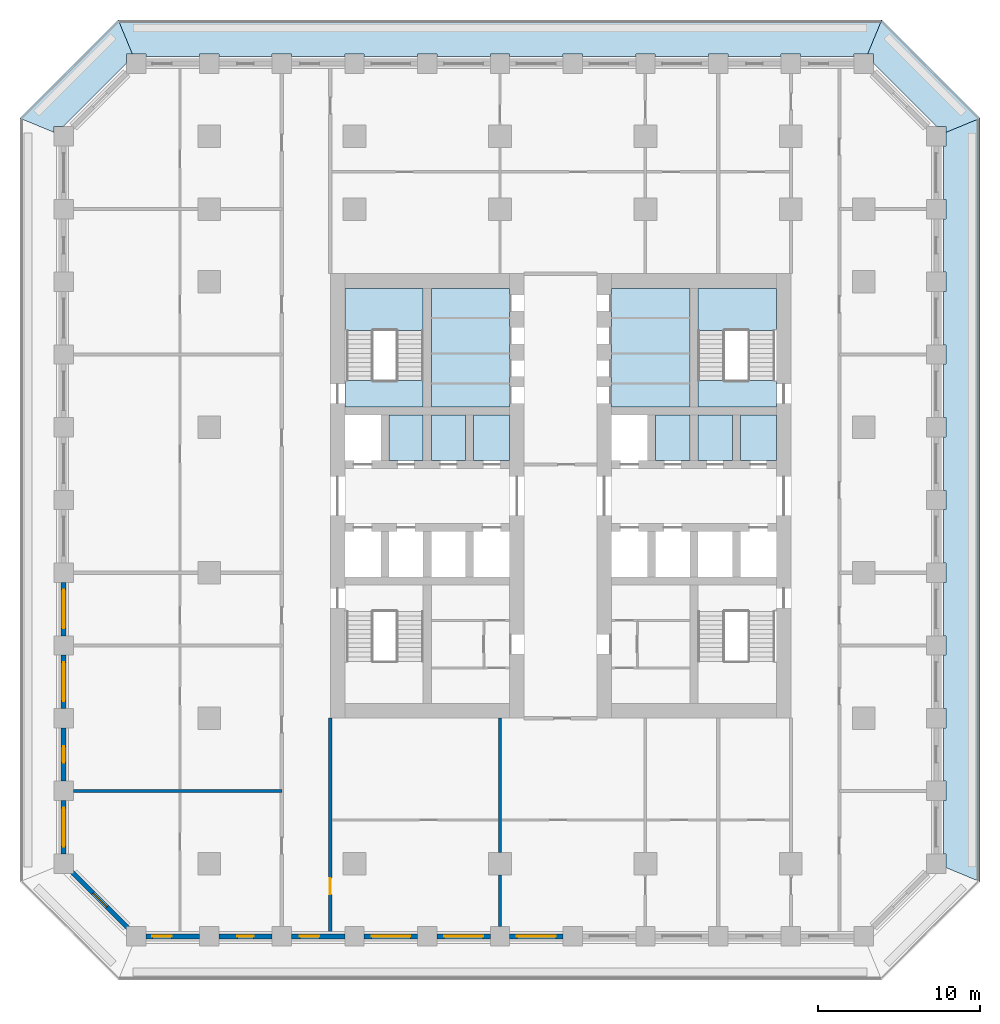
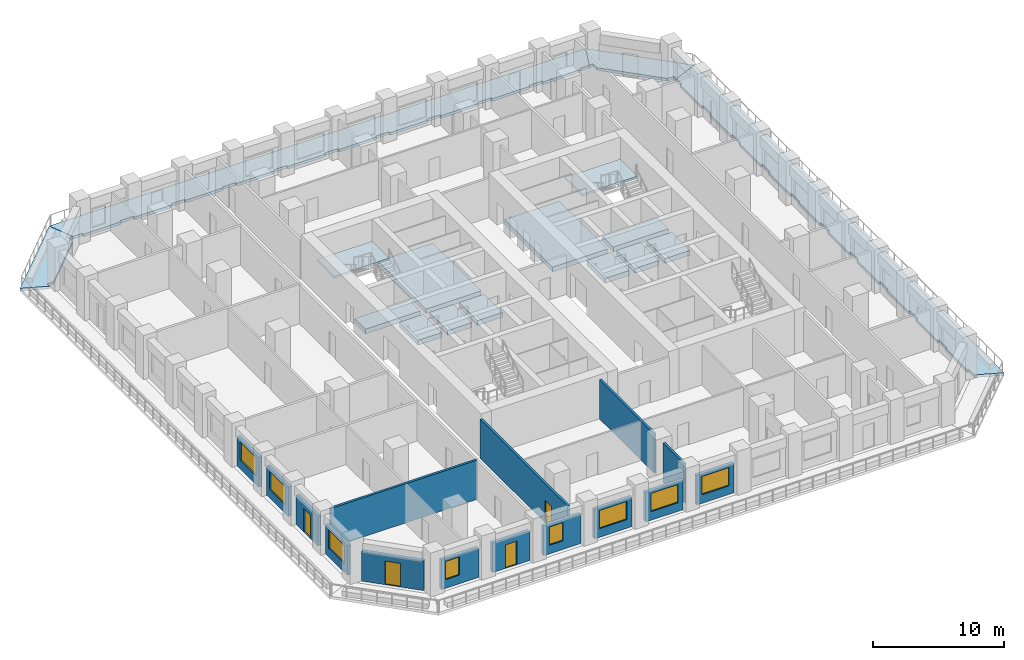
# One storey, part 2 of 16: 16 slabs, 15 walls, 8 windows, 4 doors, 12 openings, 2 elements without a shape of their own.
"""IFC4 building model written with IfcOpenShell, lengths in metres."""

import ifcopenshell
import ifcopenshell.guid

model = None  # the IFC model being written
_history = None  # IfcOwnerHistory: only IFC2X3 demands one
_inside = {}  # id of a spatial element -> (the spatial element, [elements in it])
_under = {}  # id of a project, library or spatial element -> (it, [spatial elements below it])
_declared = {}  # id of a project -> (the project, [libraries it declares])
_typed = {}  # id of a type object -> (the type object, [elements of that type])
_made_of = {}  # id of a material, layer set ... -> (it, [elements and type objects made of it])


def new_model(schema):
    """Start an empty IFC model of exactly this schema.

    Asked for "IFC4X3", IfcOpenShell would pick the latest addendum, in which some entities
    have other attributes; the version numbers below select the first issue.
    IFC2X3 requires an IfcOwnerHistory on every rooted entity: one is made here for all.
    """
    global model, _history
    if schema == "IFC4X3":
        model = ifcopenshell.file(schema_version=(4, 3, 0, 0))
    else:
        model = ifcopenshell.file(schema=schema)
    _inside.clear()
    _under.clear()
    _declared.clear()
    _typed.clear()
    _made_of.clear()
    _history = None
    if model.schema == "IFC2X3":
        org = make("IfcOrganization", Name="unknown")
        user = make(
            "IfcPersonAndOrganization",
            ThePerson=make("IfcPerson", FamilyName="unknown"),
            TheOrganization=org,
        )
        app = make(
            "IfcApplication",
            ApplicationDeveloper=org,
            Version="unknown",
            ApplicationFullName="unknown",
            ApplicationIdentifier="unknown",
        )
        _history = make(
            "IfcOwnerHistory",
            OwningUser=user,
            OwningApplication=app,
            ChangeAction="ADDED",
            CreationDate=0,
        )
    return model


def make(cls, **values):
    """One entity of the class cls with the attributes given. An attribute that is None is left unset."""
    return model.create_entity(
        cls, **{name: value for name, value in values.items() if value is not None}
    )


def rooted(cls, **values):
    """An entity with a GlobalId (a new one), such as an element, a storey or a relation."""
    return make(cls, GlobalId=ifcopenshell.guid.new(), OwnerHistory=_history, **values)


def si_unit(unit_type, name, prefix=None):
    """IfcSIUnit, for example si_unit("LENGTHUNIT", "METRE", prefix="MILLI")."""
    return make("IfcSIUnit", UnitType=unit_type, Prefix=prefix, Name=name)


def assignment(units):
    """IfcUnitAssignment: the units of a project."""
    return None if units is None else make("IfcUnitAssignment", Units=units)


def point(xyz):
    """IfcCartesianPoint."""
    return None if xyz is None else make("IfcCartesianPoint", Coordinates=xyz)


def direction(xyz):
    """IfcDirection."""
    return None if xyz is None else make("IfcDirection", DirectionRatios=xyz)


def frame(location, z_axis=None, x_axis=None):
    """IfcAxis2Placement3D, a coordinate frame: its origin and axes. An axis left out is left unset."""
    return make(
        "IfcAxis2Placement3D",
        Location=point(location),
        Axis=direction(z_axis),
        RefDirection=direction(x_axis),
    )


def frame_2d(location, x_axis=None):
    """IfcAxis2Placement2D, a coordinate frame in the plane: its origin and x axis."""
    return make(
        "IfcAxis2Placement2D", Location=point(location), RefDirection=direction(x_axis)
    )


def origin():
    """The frame at (0, 0, 0) with its axes left unset."""
    return frame((0.0, 0.0, 0.0))


def place(relative_to, where):
    """IfcLocalPlacement: puts the frame where relative to a parent placement (None: the world)."""
    return make(
        "IfcLocalPlacement", PlacementRelTo=relative_to, RelativePlacement=where
    )


def context(
    kind, dimensions, precision=None, world=None, true_north=None, identifier=None
):
    """IfcGeometricRepresentationContext, for example the 3D "Model" context."""
    return make(
        "IfcGeometricRepresentationContext",
        ContextIdentifier=identifier,
        ContextType=kind,
        CoordinateSpaceDimension=dimensions,
        Precision=precision,
        WorldCoordinateSystem=world,
        TrueNorth=true_north,
    )


def subcontext(parent, identifier, kind, view, scale=None):
    """IfcGeometricRepresentationSubContext, for example "Body" below "Model"."""
    return make(
        "IfcGeometricRepresentationSubContext",
        ContextIdentifier=identifier,
        ContextType=kind,
        ParentContext=parent,
        TargetScale=scale,
        TargetView=view,
    )


def project(units=None, contexts=None):
    """IfcProject with its units and contexts."""
    return rooted(
        "IfcProject",
        Name="project",
        RepresentationContexts=contexts,
        UnitsInContext=assignment(units),
    )


def spatial(cls, under=None, at=None, **own):
    """A site, building, storey or space (cls), placed at a placement, below another one or the project."""
    s = rooted(cls, ObjectPlacement=at, **own)
    if under is not None:
        _under.setdefault(under.id(), (under, []))[1].append(s)
    return s


def polyline(points):
    """IfcPolyline through the points."""
    return make("IfcPolyline", Points=[point(p) for p in points])


def profile(cls, at=None, kind="AREA", **sizes):
    """A parametric profile (cls). Its sizes go by their IFC names, for example OverallWidth=200.0."""
    return make(cls, ProfileType=kind, Position=at, **sizes)


def rectangle(**sizes):
    """IfcRectangleProfileDef."""
    return profile("IfcRectangleProfileDef", **sizes)


def outline(outer, holes=None, kind="AREA"):
    """IfcArbitraryClosedProfileDef: a profile drawn as a closed curve; with holes, ...WithVoids."""
    if holes is None:
        return make("IfcArbitraryClosedProfileDef", ProfileType=kind, OuterCurve=outer)
    return make(
        "IfcArbitraryProfileDefWithVoids",
        ProfileType=kind,
        OuterCurve=outer,
        InnerCurves=holes,
    )


def extrude(swept, where, along, depth):
    """IfcExtrudedAreaSolid: the profile swept, set in the frame where, extruded along a direction by depth."""
    return make(
        "IfcExtrudedAreaSolid",
        SweptArea=swept,
        Position=where,
        ExtrudedDirection=direction(along),
        Depth=depth,
    )


def shape(context_of_items, identifier, shape_type, items):
    """IfcShapeRepresentation: the items that make up one representation, for example the "Body"."""
    return make(
        "IfcShapeRepresentation",
        ContextOfItems=context_of_items,
        RepresentationIdentifier=identifier,
        RepresentationType=shape_type,
        Items=items,
    )


def material(Name=None, Category=None):
    """IfcMaterial."""
    return make("IfcMaterial", Name=Name, Category=Category)


def layer(
    of_material, thickness, ventilated=None, Name=None, Category=None, Priority=None
):
    """IfcMaterialLayer: one layer of a wall or slab, of a material (None: an air gap)."""
    return make(
        "IfcMaterialLayer",
        Material=of_material,
        LayerThickness=thickness,
        IsVentilated=ventilated,
        Name=Name,
        Category=Category,
        Priority=Priority,
    )


def layer_set(layers, Name=None):
    """IfcMaterialLayerSet."""
    return make("IfcMaterialLayerSet", MaterialLayers=layers, LayerSetName=Name)


def made_of(thing, what):
    """Note that an element or type object is made of a material, layer set ...; save() writes the relation."""
    if what is not None:
        _made_of.setdefault(what.id(), (what, []))[1].append(thing)
    return thing


def type_object(cls, material=None, **own):
    """A type object (cls), such as IfcWallType, which elements share."""
    return made_of(rooted(cls, **own), material)


def element(
    cls,
    number,
    at=None,
    inside=None,
    cuts=None,
    type_object=None,
    material=None,
    context=None,
    identifier="Body",
    shape_type=None,
    held_by="IfcProductDefinitionShape",
    body=None,
    shapes=None,
    **own,
):
    """One element of the class cls, such as IfcWall. Its Tag is "e" and its number.

    at: its placement. inside: the storey or other place that contains it. cuts: it is an
    opening in that element (IfcRelVoidsElement). A single representation is given by context,
    identifier, shape_type and body (its items); several are given by shapes. held_by: the class
    of the entity that holds the representations. save() writes the other relations.
    """
    e = rooted(cls, Tag="e%d" % number, ObjectPlacement=at, **own)
    if body is not None:
        shapes = [shape(context, identifier, shape_type, body)]
    if shapes is not None:
        e.Representation = make(held_by, Representations=shapes)
    if inside is not None:
        _inside.setdefault(inside.id(), (inside, []))[1].append(e)
    if cuts is not None:
        rooted(
            "IfcRelVoidsElement", RelatingBuildingElement=cuts, RelatedOpeningElement=e
        )
    if type_object is not None:
        _typed.setdefault(type_object.id(), (type_object, []))[1].append(e)
    return made_of(e, material)


def fill(opening, filler):
    """IfcRelFillsElement: the door or window that sits in an opening."""
    return rooted(
        "IfcRelFillsElement",
        RelatingOpeningElement=opening,
        RelatedBuildingElement=filler,
    )


def aggregate(whole, parts):
    """IfcRelAggregates: a whole, such as a stair, and the parts it consists of."""
    return rooted("IfcRelAggregates", RelatingObject=whole, RelatedObjects=parts)


def save(model, path):
    """Write the relations noted so far, then the file.

    IfcRelAggregates (storeys below a building ...), IfcRelContainedInSpatialStructure (elements
    in a storey), IfcRelDefinesByType, IfcRelAssociatesMaterial and IfcRelDeclares: one each for
    every whole, place, type object, material and project.
    """
    for whole, parts in _under.values():
        aggregate(whole, parts)
    for where, things in _inside.values():
        rooted(
            "IfcRelContainedInSpatialStructure",
            RelatedElements=things,
            RelatingStructure=where,
        )
    for kind, things in _typed.values():
        rooted("IfcRelDefinesByType", RelatedObjects=things, RelatingType=kind)
    for what, things in _made_of.values():
        rooted("IfcRelAssociatesMaterial", RelatedObjects=things, RelatingMaterial=what)
    for by, libraries in _declared.values():
        rooted("IfcRelDeclares", RelatingContext=by, RelatedDefinitions=libraries)
    model.write(path)


model = new_model("IFC4")

# Units and contexts
model_context = context("Model", 3, precision=1e-05, world=origin(), true_north=direction((0.0, 1.0)))
body_context = subcontext(model_context, "Body", "Model", "MODEL_VIEW")
ifc_project = project(units=[si_unit("LENGTHUNIT", "METRE"), si_unit("AREAUNIT", "SQUARE_METRE"), si_unit("VOLUMEUNIT", "CUBIC_METRE"), si_unit("PLANEANGLEUNIT", "RADIAN"), si_unit("MASSUNIT", "GRAM", prefix="KILO")], contexts=[model_context])

# Site, building, storey
site_placement = place(None, origin())
site = spatial("IfcSite", under=ifc_project, at=site_placement, CompositionType="ELEMENT")
building_placement = place(site_placement, origin())
building = spatial("IfcBuilding", under=site, at=building_placement, Name="Corbel Stack Research Tower", CompositionType="ELEMENT")
storey_placement = place(building_placement, frame((0.0, 0.0, 120.800048828125)))
storey = spatial("IfcBuildingStorey", under=building, at=storey_placement, Name="L27", CompositionType="ELEMENT", Elevation=120.800048828125)

# Slabs
ifc_material_1 = material(Name="Concrete C45/55", Category="concrete")
ifc_layer_1 = layer(ifc_material_1, 0.25)
ifc_layer_set_1 = layer_set([ifc_layer_1], Name="Concrete C45/55")
slab_type_1 = type_object("IfcSlabType", Name="PT balcony slab 250 C45/55", PredefinedType="FLOOR", material=ifc_layer_set_1)
slab_1_placement = place(storey_placement, frame((0.0, 0.0, -0.25)))
element("IfcSlab", 1, at=slab_1_placement, inside=storey, type_object=slab_type_1, Name="Loggia slab L27 E", PredefinedType="FLOOR", context=body_context, shape_type="SweptSolid", body=[
    extrude(outline(polyline([(27.60009765625, 27.24853515625), (27.60009765625, 26.39990234375), (27.449951171875, 26.39990234375), (27.449951171875, 23.10009765625), (27.60009765625, 23.10009765625), (27.60009765625, 21.89990234375), (27.449951171875, 21.89990234375), (27.449951171875, 18.60009765625), (27.60009765625, 18.60009765625), (27.60009765625, 17.39990234375), (27.449951171875, 17.39990234375), (27.449951171875, 14.10009765625), (27.60009765625, 14.10009765625), (27.60009765625, 12.89990234375), (27.449951171875, 12.89990234375), (27.449951171875, 9.60009765625), (27.60009765625, 9.60009765625), (27.60009765625, 8.39990234375), (27.449951171875, 8.39990234375), (27.449951171875, 5.10009765625), (27.60009765625, 5.10009765625), (27.60009765625, 3.89990234375), (27.449951171875, 3.89990234375), (27.449951171875, 0.60009765625), (27.60009765625, 0.60009765625), (27.60009765625, -0.60009765625), (27.449951171875, -0.60009765625), (27.449951171875, -3.89990234375), (27.60009765625, -3.89990234375), (27.60009765625, -5.10009765625), (27.449951171875, -5.10009765625), (27.449951171875, -8.39990234375), (27.60009765625, -8.39990234375), (27.60009765625, -9.60009765625), (27.449951171875, -9.60009765625), (27.449951171875, -12.89990234375), (27.60009765625, -12.89990234375), (27.60009765625, -14.10009765625), (27.449951171875, -14.10009765625), (27.449951171875, -17.39990234375), (27.60009765625, -17.39990234375), (27.60009765625, -18.24853515625), (29.699951171875, -19.118408203125), (29.699951171875, 28.118408203125), (27.60009765625, 27.24853515625)])), origin(), (0.0, 0.0, 1.0), 0.25),
])
slab_2_placement = place(storey_placement, frame((0.0, 0.0, -0.25)))
element("IfcSlab", 2, at=slab_2_placement, inside=storey, type_object=slab_type_1, Name="Loggia slab L27 NE", PredefinedType="FLOOR", context=body_context, shape_type="SweptSolid", body=[
    extrude(outline(polyline([(22.74853515625, 32.10009765625), (23.10009765625, 32.10009765625), (23.10009765625, 31.536376953125), (27.036376953125, 27.60009765625), (27.60009765625, 27.60009765625), (27.60009765625, 27.24853515625), (29.699951171875, 28.118408203125), (23.618408203125, 34.199951171875), (22.74853515625, 32.10009765625)])), origin(), (0.0, 0.0, 1.0), 0.25),
])
slab_3_placement = place(storey_placement, frame((0.0, 0.0, -0.25)))
element("IfcSlab", 3, at=slab_3_placement, inside=storey, type_object=slab_type_1, Name="Loggia slab L27 N", PredefinedType="FLOOR", context=body_context, shape_type="SweptSolid", body=[
    extrude(outline(polyline([(-22.74853515625, 32.10009765625), (-21.89990234375, 32.10009765625), (-21.89990234375, 31.949951171875), (-18.60009765625, 31.949951171875), (-18.60009765625, 32.10009765625), (-17.39990234375, 32.10009765625), (-17.39990234375, 31.949951171875), (-14.10009765625, 31.949951171875), (-14.10009765625, 32.10009765625), (-12.89990234375, 32.10009765625), (-12.89990234375, 31.949951171875), (-9.60009765625, 31.949951171875), (-9.60009765625, 32.10009765625), (-8.39990234375, 32.10009765625), (-8.39990234375, 31.949951171875), (-5.10009765625, 31.949951171875), (-5.10009765625, 32.10009765625), (-3.89990234375, 32.10009765625), (-3.89990234375, 31.949951171875), (-0.60009765625, 31.949951171875), (-0.60009765625, 32.10009765625), (0.60009765625, 32.10009765625), (0.60009765625, 31.949951171875), (3.89990234375, 31.949951171875), (3.89990234375, 32.10009765625), (5.10009765625, 32.10009765625), (5.10009765625, 31.949951171875), (8.39990234375, 31.949951171875), (8.39990234375, 32.10009765625), (9.60009765625, 32.10009765625), (9.60009765625, 31.949951171875), (12.89990234375, 31.949951171875), (12.89990234375, 32.10009765625), (14.10009765625, 32.10009765625), (14.10009765625, 31.949951171875), (17.39990234375, 31.949951171875), (17.39990234375, 32.10009765625), (18.60009765625, 32.10009765625), (18.60009765625, 31.949951171875), (21.89990234375, 31.949951171875), (21.89990234375, 32.10009765625), (22.74853515625, 32.10009765625), (23.618408203125, 34.199951171875), (-23.618408203125, 34.199951171875), (-22.74853515625, 32.10009765625)])), origin(), (0.0, 0.0, 1.0), 0.25),
])
slab_4_placement = place(storey_placement, frame((0.0, 0.0, -0.25)))
element("IfcSlab", 4, at=slab_4_placement, inside=storey, type_object=slab_type_1, Name="Loggia slab L27 NW", PredefinedType="FLOOR", context=body_context, shape_type="SweptSolid", body=[
    extrude(outline(polyline([(-27.60009765625, 27.24853515625), (-27.60009765625, 27.60009765625), (-27.036376953125, 27.60009765625), (-23.10009765625, 31.536376953125), (-23.10009765625, 32.10009765625), (-22.74853515625, 32.10009765625), (-23.618408203125, 34.199951171875), (-29.699951171875, 28.118408203125), (-27.60009765625, 27.24853515625)])), origin(), (0.0, 0.0, 1.0), 0.25),
])
ifc_material_2 = material(Name="Concrete C45/55", Category="concrete")
ifc_layer_2 = layer(ifc_material_2, 0.449951171875)
ifc_layer_set_2 = layer_set([ifc_layer_2], Name="Concrete C45/55")
slab_type_2 = type_object("IfcSlabType", Name="PT-450", PredefinedType="FLOOR", material=ifc_layer_set_2)
slab_5_placement = place(storey_placement, frame((0.0, 0.0, -0.449951171875)))
element("IfcSlab", 5, at=slab_5_placement, inside=storey, type_object=slab_type_2, Name="West core floor L27", PredefinedType="FLOOR", context=body_context, shape_type="SweptSolid", body=[
    extrude(outline(polyline([(-6.875, 6.949951171875), (-4.75, 6.949951171875), (-4.75, 9.75), (-6.875, 9.75), (-6.875, 6.949951171875)])), origin(), (0.0, 0.0, 1.0), 0.449951171875),
])
slab_6_placement = place(storey_placement, frame((0.0, 0.0, -0.449951171875)))
element("IfcSlab", 6, at=slab_6_placement, inside=storey, type_object=slab_type_2, Name="West core floor L27", PredefinedType="FLOOR", context=body_context, shape_type="SweptSolid", body=[
    extrude(outline(polyline([(-2.125, 6.949951171875), (-2.125, 9.75), (-4.25, 9.75), (-4.25, 6.949951171875), (-2.125, 6.949951171875)])), origin(), (0.0, 0.0, 1.0), 0.449951171875),
])
slab_7_placement = place(storey_placement, frame((0.0, 0.0, -0.449951171875)))
element("IfcSlab", 7, at=slab_7_placement, inside=storey, type_object=slab_type_2, Name="West core floor L27", PredefinedType="FLOOR", context=body_context, shape_type="SweptSolid", body=[
    extrude(outline(polyline([(0.60009765625, 17.60009765625), (-4.25, 17.60009765625), (-4.25, 10.25), (0.60009765625, 10.25), (0.60009765625, 17.60009765625)])), origin(), (0.0, 0.0, 1.0), 0.449951171875),
])
slab_8_placement = place(storey_placement, frame((0.0, 0.0, -0.449951171875)))
element("IfcSlab", 8, at=slab_8_placement, inside=storey, type_object=slab_type_2, Name="West core floor L27", PredefinedType="FLOOR", context=body_context, shape_type="SweptSolid", body=[
    extrude(outline(polyline([(0.60009765625, 9.75), (-1.625, 9.75), (-1.625, 6.949951171875), (0.60009765625, 6.949951171875), (0.60009765625, 9.75)])), origin(), (0.0, 0.0, 1.0), 0.449951171875),
])
slab_9_placement = place(storey_placement, frame((0.0, 0.0, -0.449951171875)))
element("IfcSlab", 9, at=slab_9_placement, inside=storey, type_object=slab_type_2, Name="East core floor L27", PredefinedType="FLOOR", context=body_context, shape_type="SweptSolid", body=[
    extrude(outline(polyline([(6.89990234375, 17.60009765625), (6.89990234375, 10.25), (11.75, 10.25), (11.75, 17.60009765625), (6.89990234375, 17.60009765625)])), origin(), (0.0, 0.0, 1.0), 0.449951171875),
])
slab_10_placement = place(storey_placement, frame((0.0, 0.0, -0.449951171875)))
element("IfcSlab", 10, at=slab_10_placement, inside=storey, type_object=slab_type_2, Name="East core floor L27", PredefinedType="FLOOR", context=body_context, shape_type="SweptSolid", body=[
    extrude(outline(polyline([(9.625, 6.949951171875), (11.75, 6.949951171875), (11.75, 9.75), (9.625, 9.75), (9.625, 6.949951171875)])), origin(), (0.0, 0.0, 1.0), 0.449951171875),
])
slab_11_placement = place(storey_placement, frame((0.0, 0.0, -0.449951171875)))
element("IfcSlab", 11, at=slab_11_placement, inside=storey, type_object=slab_type_2, Name="East core floor L27", PredefinedType="FLOOR", context=body_context, shape_type="SweptSolid", body=[
    extrude(outline(polyline([(14.375, 6.949951171875), (14.375, 9.75), (12.25, 9.75), (12.25, 6.949951171875), (14.375, 6.949951171875)])), origin(), (0.0, 0.0, 1.0), 0.449951171875),
])
slab_12_placement = place(storey_placement, frame((0.0, 0.0, -0.449951171875)))
element("IfcSlab", 12, at=slab_12_placement, inside=storey, type_object=slab_type_2, Name="East core floor L27", PredefinedType="FLOOR", context=body_context, shape_type="SweptSolid", body=[
    extrude(outline(polyline([(17.10009765625, 6.949951171875), (17.10009765625, 9.75), (14.875, 9.75), (14.875, 6.949951171875), (17.10009765625, 6.949951171875)])), origin(), (0.0, 0.0, 1.0), 0.449951171875),
])
slab_13_placement = place(storey_placement, frame((0.0, 0.0, -0.449951171875)))
element("IfcSlab", 13, at=slab_13_placement, inside=storey, type_object=slab_type_2, Name="Stair floor landing ST-W2", PredefinedType="FLOOR", context=body_context, shape_type="SweptSolid", body=[
    extrude(outline(polyline([(-9.60009765625, 10.25), (-4.75, 10.25), (-4.75, 11.89990234375), (-9.60009765625, 11.89990234375), (-9.60009765625, 10.25)])), origin(), (0.0, 0.0, 1.0), 0.449951171875),
])
slab_14_placement = place(storey_placement, frame((0.0, 0.0, -0.449951171875)))
element("IfcSlab", 14, at=slab_14_placement, inside=storey, type_object=slab_type_2, Name="Stair floor landing ST-E2", PredefinedType="FLOOR", context=body_context, shape_type="SweptSolid", body=[
    extrude(outline(polyline([(12.25, 10.25), (17.10009765625, 10.25), (17.10009765625, 11.89990234375), (12.25, 11.89990234375), (12.25, 10.25)])), origin(), (0.0, 0.0, 1.0), 0.449951171875),
])

# Stair, slab
ifc_material_3 = material(Name="Concrete C40/50", Category="concrete")
stair_type = type_object("IfcStairType", Name="Exit stair 24 risers", PredefinedType="HALF_TURN_STAIR", material=ifc_material_3)
stair_1_placement = place(storey_placement, origin())
stair_1 = element("IfcStair", 15, at=stair_1_placement, inside=storey, type_object=stair_type, Name="L27 Exit stair ST-W2", PredefinedType="HALF_TURN_STAIR")
ifc_material_4 = material(Name="Concrete C40/50", Category="concrete")
ifc_layer_3 = layer(ifc_material_4, 0.199951171875)
ifc_layer_set_3 = layer_set([ifc_layer_3], Name="Concrete C40/50")
slab_type_3 = type_object("IfcSlabType", Name="Stair landing 200 C40/50", PredefinedType="LANDING", material=ifc_layer_set_3)
slab_15_placement = place(storey_placement, frame((0.0, 0.0, 1.849853515625)))
slab_15 = element("IfcSlab", 16, at=slab_15_placement, type_object=slab_type_3, Name="ST-W2 landing 1", PredefinedType="LANDING", context=body_context, shape_type="SweptSolid", body=[
    extrude(outline(polyline([(-9.60009765625, 14.97998046875), (-9.60009765625, 17.60009765625), (-4.75, 17.60009765625), (-4.75, 14.97998046875), (-9.60009765625, 14.97998046875)])), origin(), (0.0, 0.0, 1.0), 0.2001953125),
])
aggregate(stair_1, [slab_15])

stair_2_placement = place(storey_placement, origin())
stair_2 = element("IfcStair", 17, at=stair_2_placement, inside=storey, type_object=stair_type, Name="L27 Exit stair ST-E2", PredefinedType="HALF_TURN_STAIR")
slab_16_placement = place(storey_placement, frame((0.0, 0.0, 1.849853515625)))
slab_16 = element("IfcSlab", 18, at=slab_16_placement, type_object=slab_type_3, Name="ST-E2 landing 1", PredefinedType="LANDING", context=body_context, shape_type="SweptSolid", body=[
    extrude(outline(polyline([(12.25, 14.97998046875), (12.25, 17.60009765625), (17.10009765625, 17.60009765625), (17.10009765625, 14.97998046875), (12.25, 14.97998046875)])), origin(), (0.0, 0.0, 1.0), 0.2001953125),
])
aggregate(stair_2, [slab_16])

# Wall, opening, door
ifc_material_5 = material(Name="Fire-rated gypsum board partition on steel studs", Category="steel")
ifc_layer_4 = layer(ifc_material_5, 0.199951171875)
ifc_layer_set_4 = layer_set([ifc_layer_4], Name="Fire-rated gypsum board partition on steel studs")
wall_type_1 = type_object("IfcWallType", Name="Fire-rated partition 200 EI 60", PredefinedType="PARTITIONING", material=ifc_layer_set_4)
wall_1_placement = place(storey_placement, frame((-10.5, -9.0, 0.0), z_axis=(0.0, 0.0, 1.0), x_axis=(0.0, -1.0, 0.0)))
wall_1 = element("IfcWall", 19, at=wall_1_placement, inside=storey, type_object=wall_type_1, Name="Partition L27-003", PredefinedType="PARTITIONING", context=body_context, shape_type="SweptSolid", body=[
    extrude(rectangle(XDim=13.35009765625, YDim=0.199951171875, at=frame_2d((6.675048828125, 0.0))), origin(), (0.0, 0.0, 1.0), 3.64990234375),
])
opening_1_placement = place(wall_1_placement, frame((9.89990234375, 0.0, 0.0)))
opening_1 = element("IfcOpeningElement", 20, at=opening_1_placement, cuts=wall_1, Name="Opening B4V0-017", PredefinedType="OPENING", context=body_context, shape_type="SweptSolid", body=[
    extrude(rectangle(XDim=1.0, YDim=2.10009765625, at=frame_2d((0.5, 1.050048828125))), frame((0.0, 0.10986328125, 0.0), z_axis=(0.0, -1.0, 0.0), x_axis=(1.0, 0.0, 0.0)), (0.0, 0.0, 1.0), 0.219970703125),
])
ifc_material_6 = material(Name="Painted steel fire door", Category="steel")
door_type_1 = type_object("IfcDoorType", Name="Fire door FD30S 1000 x 2100", OperationType="NOTDEFINED", PredefinedType="DOOR", material=ifc_material_6)
door_1_placement = place(opening_1_placement, origin())
door_1 = element("IfcDoor", 21, at=door_1_placement, inside=storey, type_object=door_type_1, Name="Door B4V0-017", OperationType="SINGLE_SWING_RIGHT", OverallHeight=2.10009765625, OverallWidth=1.0, PredefinedType="DOOR", context=body_context, shape_type="SweptSolid", body=[
    extrude(rectangle(XDim=1.0, YDim=2.10009765625, at=frame_2d((0.5, 1.050048828125))), frame((0.0, 0.02490234375, 0.0), z_axis=(0.0, -1.0, 0.0), x_axis=(1.0, 0.0, 0.0)), (0.0, 0.0, 1.0), 0.050048828125),
])
fill(opening_1, door_1)

# Walls
wall_2_placement = place(storey_placement, frame((0.0, -21.89990234375, 0.0), z_axis=(0.0, 0.0, 1.0), x_axis=(0.0, 1.0, 0.0)))
element("IfcWall", 22, at=wall_2_placement, inside=storey, type_object=wall_type_1, Name="Partition L27-008", PredefinedType="PARTITIONING", context=body_context, shape_type="SweptSolid", body=[
    extrude(rectangle(XDim=3.199951171875, YDim=0.199951171875, at=frame_2d((1.60009765625, 0.0))), origin(), (0.0, 0.0, 1.0), 3.64990234375),
])
wall_3_placement = place(storey_placement, frame((0.0, -17.300048828125, 0.0), z_axis=(0.0, 0.0, 1.0), x_axis=(0.0, 1.0, 0.0)))
element("IfcWall", 23, at=wall_3_placement, inside=storey, type_object=wall_type_1, Name="Partition L27-009", PredefinedType="PARTITIONING", context=body_context, shape_type="SweptSolid", body=[
    extrude(rectangle(XDim=8.300048828125, YDim=0.199951171875, at=frame_2d((4.14990234375, 0.0))), origin(), (0.0, 0.0, 1.0), 3.64990234375),
])
wall_4_placement = place(storey_placement, frame((-26.39990234375, -13.5, 0.0), z_axis=(0.0, 0.0, 1.0), x_axis=(1.0, 0.0, 0.0)))
element("IfcWall", 24, at=wall_4_placement, inside=storey, type_object=wall_type_1, Name="Partition L27-024", PredefinedType="PARTITIONING", context=body_context, shape_type="SweptSolid", body=[
    extrude(rectangle(XDim=12.89990234375, YDim=0.199951171875, at=frame_2d((6.449951171875, 0.0))), origin(), (0.0, 0.0, 1.0), 3.64990234375),
])

# Wall, opening, window
ifc_material_7 = material(Name="Concrete C45/55", Category="concrete")
ifc_layer_5 = layer(ifc_material_7, 0.300048828125)
ifc_layer_set_5 = layer_set([ifc_layer_5], Name="Concrete C45/55")
wall_type_2 = type_object("IfcWallType", Name="Terracotta-faced concrete wall 300", PredefinedType="SOLIDWALL", material=ifc_layer_set_5)
wall_5_placement = place(storey_placement, frame((-18.60009765625, -22.5, 0.0), z_axis=(0.0, 0.0, 1.0), x_axis=(-1.0, 0.0, 0.0)))
wall_5 = element("IfcWall", 25, at=wall_5_placement, inside=storey, type_object=wall_type_2, Name="Facade wall L27 S01", PredefinedType="SOLIDWALL", context=body_context, shape_type="SweptSolid", body=[
    extrude(rectangle(XDim=3.2998046875, YDim=0.300048828125, at=frame_2d((1.64990234375, 0.0))), origin(), (0.0, 0.0, 1.0), 2.75),
])
opening_2_placement = place(wall_5_placement, frame((1.71240234375, 0.0, 0.800048828125)))
opening_2 = element("IfcOpeningElement", 26, at=opening_2_placement, cuts=wall_5, Name="Opening W2", PredefinedType="OPENING", context=body_context, shape_type="SweptSolid", body=[
    extrude(rectangle(XDim=1.199951171875, YDim=1.699951171875, at=frame_2d((0.60009765625, 0.85009765625))), frame((0.0, 0.159912109375, 0.0), z_axis=(0.0, -1.0, 0.0), x_axis=(1.0, 0.0, 0.0)), (0.0, 0.0, 1.0), 0.320068359375),
])
ifc_material_8 = material(Name="Aluminium frame, clear double glazing", Category="aluminium")
window_type_1 = type_object("IfcWindowType", Name="Window W2 1200 x 1700", PartitioningType="SINGLE_PANEL", PredefinedType="WINDOW", material=ifc_material_8)
window_1_placement = place(opening_2_placement, origin())
window_1 = element("IfcWindow", 27, at=window_1_placement, inside=storey, type_object=window_type_1, Name="Window W2 L27 S01", OverallHeight=1.699951171875, OverallWidth=1.199951171875, PartitioningType="SINGLE_PANEL", PredefinedType="WINDOW", context=body_context, shape_type="SweptSolid", body=[
    extrude(rectangle(XDim=1.199951171875, YDim=1.699951171875, at=frame_2d((0.60009765625, 0.85009765625))), frame((0.0, 0.030029296875, 0.0), z_axis=(0.0, -1.0, 0.0), x_axis=(1.0, 0.0, 0.0)), (0.0, 0.0, 1.0), 0.06005859375),
])
fill(opening_2, window_1)

# Wall, opening, door
wall_6_placement = place(storey_placement, frame((-14.10009765625, -22.5, 0.0), z_axis=(0.0, 0.0, 1.0), x_axis=(-1.0, 0.0, 0.0)))
wall_6 = element("IfcWall", 28, at=wall_6_placement, inside=storey, type_object=wall_type_2, Name="Facade wall L27 S02", PredefinedType="SOLIDWALL", context=body_context, shape_type="SweptSolid", body=[
    extrude(rectangle(XDim=3.2998046875, YDim=0.300048828125, at=frame_2d((1.64990234375, 0.0))), origin(), (0.0, 0.0, 1.0), 2.75),
])
opening_3_placement = place(wall_6_placement, frame((1.14990234375, 0.0, 0.0)))
opening_3 = element("IfcOpeningElement", 29, at=opening_3_placement, cuts=wall_6, Name="Opening L27-B01", PredefinedType="OPENING", context=body_context, shape_type="SweptSolid", body=[
    extrude(rectangle(XDim=1.0, YDim=2.199951171875, at=frame_2d((0.5, 1.10009765625))), frame((0.0, 0.159912109375, 0.0), z_axis=(0.0, -1.0, 0.0), x_axis=(1.0, 0.0, 0.0)), (0.0, 0.0, 1.0), 0.320068359375),
])
ifc_material_9 = material(Name="Aluminium frame, clear double glazing", Category="aluminium")
door_type_2 = type_object("IfcDoorType", Name="Balcony door BD1 1000 x 2200", OperationType="NOTDEFINED", PredefinedType="DOOR", material=ifc_material_9)
door_2_placement = place(opening_3_placement, origin())
door_2 = element("IfcDoor", 30, at=door_2_placement, inside=storey, type_object=door_type_2, Name="Balcony door L27-B01", OperationType="SINGLE_SWING_LEFT", OverallHeight=2.199951171875, OverallWidth=1.0, PredefinedType="DOOR", context=body_context, shape_type="SweptSolid", body=[
    extrude(rectangle(XDim=1.0, YDim=2.199951171875, at=frame_2d((0.5, 1.10009765625))), frame((0.0, 0.02490234375, 0.0), z_axis=(0.0, -1.0, 0.0), x_axis=(1.0, 0.0, 0.0)), (0.0, 0.0, 1.0), 0.050048828125),
])
fill(opening_3, door_2)

# Wall, opening, window
wall_7_placement = place(storey_placement, frame((-9.60009765625, -22.5, 0.0), z_axis=(0.0, 0.0, 1.0), x_axis=(-1.0, 0.0, 0.0)))
wall_7 = element("IfcWall", 31, at=wall_7_placement, inside=storey, type_object=wall_type_2, Name="Facade wall L27 S03", PredefinedType="SOLIDWALL", context=body_context, shape_type="SweptSolid", body=[
    extrude(rectangle(XDim=3.2998046875, YDim=0.300048828125, at=frame_2d((1.64990234375, 0.0))), origin(), (0.0, 0.0, 1.0), 2.75),
])
opening_4_placement = place(wall_7_placement, frame((1.574951171875, 0.0, 0.800048828125)))
opening_4 = element("IfcOpeningElement", 32, at=opening_4_placement, cuts=wall_7, Name="Opening W2", PredefinedType="OPENING", context=body_context, shape_type="SweptSolid", body=[
    extrude(rectangle(XDim=1.199951171875, YDim=1.699951171875, at=frame_2d((0.60009765625, 0.85009765625))), frame((0.0, 0.159912109375, 0.0), z_axis=(0.0, -1.0, 0.0), x_axis=(1.0, 0.0, 0.0)), (0.0, 0.0, 1.0), 0.320068359375),
])
window_2_placement = place(opening_4_placement, origin())
window_2 = element("IfcWindow", 33, at=window_2_placement, inside=storey, type_object=window_type_1, Name="Window W2 L27 S03", OverallHeight=1.699951171875, OverallWidth=1.199951171875, PartitioningType="SINGLE_PANEL", PredefinedType="WINDOW", context=body_context, shape_type="SweptSolid", body=[
    extrude(rectangle(XDim=1.199951171875, YDim=1.699951171875, at=frame_2d((0.60009765625, 0.85009765625))), frame((0.0, 0.030029296875, 0.0), z_axis=(0.0, -1.0, 0.0), x_axis=(1.0, 0.0, 0.0)), (0.0, 0.0, 1.0), 0.06005859375),
])
fill(opening_4, window_2)

wall_8_placement = place(storey_placement, frame((-5.10009765625, -22.5, 0.0), z_axis=(0.0, 0.0, 1.0), x_axis=(-1.0, 0.0, 0.0)))
wall_8 = element("IfcWall", 34, at=wall_8_placement, inside=storey, type_object=wall_type_2, Name="Facade wall L27 S04", PredefinedType="SOLIDWALL", context=body_context, shape_type="SweptSolid", body=[
    extrude(rectangle(XDim=3.2998046875, YDim=0.300048828125, at=frame_2d((1.64990234375, 0.0))), origin(), (0.0, 0.0, 1.0), 2.75),
])
opening_5_placement = place(wall_8_placement, frame((0.449951171875, 0.0, 0.800048828125)))
opening_5 = element("IfcOpeningElement", 35, at=opening_5_placement, cuts=wall_8, Name="Opening W1", PredefinedType="OPENING", context=body_context, shape_type="SweptSolid", body=[
    extrude(rectangle(XDim=2.39990234375, YDim=1.699951171875, at=frame_2d((1.199951171875, 0.85009765625))), frame((0.0, 0.159912109375, 0.0), z_axis=(0.0, -1.0, 0.0), x_axis=(1.0, 0.0, 0.0)), (0.0, 0.0, 1.0), 0.320068359375),
])
ifc_material_10 = material(Name="Aluminium frame, clear double glazing", Category="aluminium")
window_type_2 = type_object("IfcWindowType", Name="Window W1 2400 x 1700", PartitioningType="SINGLE_PANEL", PredefinedType="WINDOW", material=ifc_material_10)
window_3_placement = place(opening_5_placement, origin())
window_3 = element("IfcWindow", 36, at=window_3_placement, inside=storey, type_object=window_type_2, Name="Window W1 L27 S04", OverallHeight=1.699951171875, OverallWidth=2.39990234375, PartitioningType="SINGLE_PANEL", PredefinedType="WINDOW", context=body_context, shape_type="SweptSolid", body=[
    extrude(rectangle(XDim=2.39990234375, YDim=1.699951171875, at=frame_2d((1.199951171875, 0.85009765625))), frame((0.0, 0.030029296875, 0.0), z_axis=(0.0, -1.0, 0.0), x_axis=(1.0, 0.0, 0.0)), (0.0, 0.0, 1.0), 0.06005859375),
])
fill(opening_5, window_3)

wall_9_placement = place(storey_placement, frame((-0.60009765625, -22.5, 0.0), z_axis=(0.0, 0.0, 1.0), x_axis=(-1.0, 0.0, 0.0)))
wall_9 = element("IfcWall", 37, at=wall_9_placement, inside=storey, type_object=wall_type_2, Name="Facade wall L27 S05", PredefinedType="SOLIDWALL", context=body_context, shape_type="SweptSolid", body=[
    extrude(rectangle(XDim=3.2998046875, YDim=0.300048828125, at=frame_2d((1.64990234375, 0.0))), origin(), (0.0, 0.0, 1.0), 2.75),
])
opening_6_placement = place(wall_9_placement, frame((0.449951171875, 0.0, 0.800048828125)))
opening_6 = element("IfcOpeningElement", 38, at=opening_6_placement, cuts=wall_9, Name="Opening W1", PredefinedType="OPENING", context=body_context, shape_type="SweptSolid", body=[
    extrude(rectangle(XDim=2.39990234375, YDim=1.699951171875, at=frame_2d((1.199951171875, 0.85009765625))), frame((0.0, 0.159912109375, 0.0), z_axis=(0.0, -1.0, 0.0), x_axis=(1.0, 0.0, 0.0)), (0.0, 0.0, 1.0), 0.320068359375),
])
window_4_placement = place(opening_6_placement, origin())
window_4 = element("IfcWindow", 39, at=window_4_placement, inside=storey, type_object=window_type_2, Name="Window W1 L27 S05", OverallHeight=1.699951171875, OverallWidth=2.39990234375, PartitioningType="SINGLE_PANEL", PredefinedType="WINDOW", context=body_context, shape_type="SweptSolid", body=[
    extrude(rectangle(XDim=2.39990234375, YDim=1.699951171875, at=frame_2d((1.199951171875, 0.85009765625))), frame((0.0, 0.030029296875, 0.0), z_axis=(0.0, -1.0, 0.0), x_axis=(1.0, 0.0, 0.0)), (0.0, 0.0, 1.0), 0.06005859375),
])
fill(opening_6, window_4)

wall_10_placement = place(storey_placement, frame((3.89990234375, -22.5, 0.0), z_axis=(0.0, 0.0, 1.0), x_axis=(-1.0, 0.0, 0.0)))
wall_10 = element("IfcWall", 40, at=wall_10_placement, inside=storey, type_object=wall_type_2, Name="Facade wall L27 S06", PredefinedType="SOLIDWALL", context=body_context, shape_type="SweptSolid", body=[
    extrude(rectangle(XDim=3.2998046875, YDim=0.300048828125, at=frame_2d((1.64990234375, 0.0))), origin(), (0.0, 0.0, 1.0), 2.75),
])
opening_7_placement = place(wall_10_placement, frame((0.449951171875, 0.0, 0.800048828125)))
opening_7 = element("IfcOpeningElement", 41, at=opening_7_placement, cuts=wall_10, Name="Opening W1", PredefinedType="OPENING", context=body_context, shape_type="SweptSolid", body=[
    extrude(rectangle(XDim=2.39990234375, YDim=1.699951171875, at=frame_2d((1.199951171875, 0.85009765625))), frame((0.0, 0.159912109375, 0.0), z_axis=(0.0, -1.0, 0.0), x_axis=(1.0, 0.0, 0.0)), (0.0, 0.0, 1.0), 0.320068359375),
])
window_5_placement = place(opening_7_placement, origin())
window_5 = element("IfcWindow", 42, at=window_5_placement, inside=storey, type_object=window_type_2, Name="Window W1 L27 S06", OverallHeight=1.699951171875, OverallWidth=2.39990234375, PartitioningType="SINGLE_PANEL", PredefinedType="WINDOW", context=body_context, shape_type="SweptSolid", body=[
    extrude(rectangle(XDim=2.39990234375, YDim=1.699951171875, at=frame_2d((1.199951171875, 0.85009765625))), frame((0.0, 0.030029296875, 0.0), z_axis=(0.0, -1.0, 0.0), x_axis=(1.0, 0.0, 0.0)), (0.0, 0.0, 1.0), 0.06005859375),
])
fill(opening_7, window_5)

wall_11_placement = place(storey_placement, frame((-27.0, -3.89990234375, 0.0), z_axis=(0.0, 0.0, 1.0), x_axis=(0.0, 1.0, 0.0)))
wall_11 = element("IfcWall", 43, at=wall_11_placement, inside=storey, type_object=wall_type_2, Name="Facade wall L27 W07", PredefinedType="SOLIDWALL", context=body_context, shape_type="SweptSolid", body=[
    extrude(rectangle(XDim=3.2998046875, YDim=0.300048828125, at=frame_2d((1.64990234375, 0.0))), origin(), (0.0, 0.0, 1.0), 2.75),
])
opening_8_placement = place(wall_11_placement, frame((0.449951171875, 0.0, 0.800048828125)))
opening_8 = element("IfcOpeningElement", 44, at=opening_8_placement, cuts=wall_11, Name="Opening W1", PredefinedType="OPENING", context=body_context, shape_type="SweptSolid", body=[
    extrude(rectangle(XDim=2.39990234375, YDim=1.699951171875, at=frame_2d((1.199951171875, 0.85009765625))), frame((0.0, 0.159912109375, 0.0), z_axis=(0.0, -1.0, 0.0), x_axis=(1.0, 0.0, 0.0)), (0.0, 0.0, 1.0), 0.320068359375),
])
window_6_placement = place(opening_8_placement, origin())
window_6 = element("IfcWindow", 45, at=window_6_placement, inside=storey, type_object=window_type_2, Name="Window W1 L27 W07", OverallHeight=1.699951171875, OverallWidth=2.39990234375, PartitioningType="SINGLE_PANEL", PredefinedType="WINDOW", context=body_context, shape_type="SweptSolid", body=[
    extrude(rectangle(XDim=2.39990234375, YDim=1.699951171875, at=frame_2d((1.199951171875, 0.85009765625))), frame((0.0, 0.030029296875, 0.0), z_axis=(0.0, -1.0, 0.0), x_axis=(1.0, 0.0, 0.0)), (0.0, 0.0, 1.0), 0.06005859375),
])
fill(opening_8, window_6)

wall_12_placement = place(storey_placement, frame((-27.0, -8.39990234375, 0.0), z_axis=(0.0, 0.0, 1.0), x_axis=(0.0, 1.0, 0.0)))
wall_12 = element("IfcWall", 46, at=wall_12_placement, inside=storey, type_object=wall_type_2, Name="Facade wall L27 W08", PredefinedType="SOLIDWALL", context=body_context, shape_type="SweptSolid", body=[
    extrude(rectangle(XDim=3.2998046875, YDim=0.300048828125, at=frame_2d((1.64990234375, 0.0))), origin(), (0.0, 0.0, 1.0), 2.75),
])
opening_9_placement = place(wall_12_placement, frame((0.449951171875, 0.0, 0.800048828125)))
opening_9 = element("IfcOpeningElement", 47, at=opening_9_placement, cuts=wall_12, Name="Opening W1", PredefinedType="OPENING", context=body_context, shape_type="SweptSolid", body=[
    extrude(rectangle(XDim=2.39990234375, YDim=1.699951171875, at=frame_2d((1.199951171875, 0.85009765625))), frame((0.0, 0.159912109375, 0.0), z_axis=(0.0, -1.0, 0.0), x_axis=(1.0, 0.0, 0.0)), (0.0, 0.0, 1.0), 0.320068359375),
])
window_7_placement = place(opening_9_placement, origin())
window_7 = element("IfcWindow", 48, at=window_7_placement, inside=storey, type_object=window_type_2, Name="Window W1 L27 W08", OverallHeight=1.699951171875, OverallWidth=2.39990234375, PartitioningType="SINGLE_PANEL", PredefinedType="WINDOW", context=body_context, shape_type="SweptSolid", body=[
    extrude(rectangle(XDim=2.39990234375, YDim=1.699951171875, at=frame_2d((1.199951171875, 0.85009765625))), frame((0.0, 0.030029296875, 0.0), z_axis=(0.0, -1.0, 0.0), x_axis=(1.0, 0.0, 0.0)), (0.0, 0.0, 1.0), 0.06005859375),
])
fill(opening_9, window_7)

# Wall, opening, door
wall_13_placement = place(storey_placement, frame((-27.0, -12.89990234375, 0.0), z_axis=(0.0, 0.0, 1.0), x_axis=(0.0, 1.0, 0.0)))
wall_13 = element("IfcWall", 49, at=wall_13_placement, inside=storey, type_object=wall_type_2, Name="Facade wall L27 W09", PredefinedType="SOLIDWALL", context=body_context, shape_type="SweptSolid", body=[
    extrude(rectangle(XDim=3.2998046875, YDim=0.300048828125, at=frame_2d((1.64990234375, 0.0))), origin(), (0.0, 0.0, 1.0), 2.75),
])
opening_10_placement = place(wall_13_placement, frame((1.14990234375, 0.0, 0.0)))
opening_10 = element("IfcOpeningElement", 50, at=opening_10_placement, cuts=wall_13, Name="Opening L27-B11", PredefinedType="OPENING", context=body_context, shape_type="SweptSolid", body=[
    extrude(rectangle(XDim=1.0, YDim=2.199951171875, at=frame_2d((0.5, 1.10009765625))), frame((0.0, 0.159912109375, 0.0), z_axis=(0.0, -1.0, 0.0), x_axis=(1.0, 0.0, 0.0)), (0.0, 0.0, 1.0), 0.320068359375),
])
door_3_placement = place(opening_10_placement, origin())
door_3 = element("IfcDoor", 51, at=door_3_placement, inside=storey, type_object=door_type_2, Name="Balcony door L27-B11", OperationType="SINGLE_SWING_RIGHT", OverallHeight=2.199951171875, OverallWidth=1.0, PredefinedType="DOOR", context=body_context, shape_type="SweptSolid", body=[
    extrude(rectangle(XDim=1.0, YDim=2.199951171875, at=frame_2d((0.5, 1.10009765625))), frame((0.0, 0.02490234375, 0.0), z_axis=(0.0, -1.0, 0.0), x_axis=(1.0, 0.0, 0.0)), (0.0, 0.0, 1.0), 0.050048828125),
])
fill(opening_10, door_3)

# Wall, opening, window
wall_14_placement = place(storey_placement, frame((-27.0, -17.39990234375, 0.0), z_axis=(0.0, 0.0, 1.0), x_axis=(0.0, 1.0, 0.0)))
wall_14 = element("IfcWall", 52, at=wall_14_placement, inside=storey, type_object=wall_type_2, Name="Facade wall L27 W10", PredefinedType="SOLIDWALL", context=body_context, shape_type="SweptSolid", body=[
    extrude(rectangle(XDim=3.2998046875, YDim=0.300048828125, at=frame_2d((1.64990234375, 0.0))), origin(), (0.0, 0.0, 1.0), 2.75),
])
opening_11_placement = place(wall_14_placement, frame((0.449951171875, 0.0, 0.800048828125)))
opening_11 = element("IfcOpeningElement", 53, at=opening_11_placement, cuts=wall_14, Name="Opening W1", PredefinedType="OPENING", context=body_context, shape_type="SweptSolid", body=[
    extrude(rectangle(XDim=2.39990234375, YDim=1.699951171875, at=frame_2d((1.199951171875, 0.85009765625))), frame((0.0, 0.159912109375, 0.0), z_axis=(0.0, -1.0, 0.0), x_axis=(1.0, 0.0, 0.0)), (0.0, 0.0, 1.0), 0.320068359375),
])
window_8_placement = place(opening_11_placement, origin())
window_8 = element("IfcWindow", 54, at=window_8_placement, inside=storey, type_object=window_type_2, Name="Window W1 L27 W10", OverallHeight=1.699951171875, OverallWidth=2.39990234375, PartitioningType="SINGLE_PANEL", PredefinedType="WINDOW", context=body_context, shape_type="SweptSolid", body=[
    extrude(rectangle(XDim=2.39990234375, YDim=1.699951171875, at=frame_2d((1.199951171875, 0.85009765625))), frame((0.0, 0.030029296875, 0.0), z_axis=(0.0, -1.0, 0.0), x_axis=(1.0, 0.0, 0.0)), (0.0, 0.0, 1.0), 0.06005859375),
])
fill(opening_11, window_8)

# Wall, opening, door
wall_15_placement = place(storey_placement, frame((-22.993896484375, -22.006103515625, 0.0), z_axis=(0.0, 0.0, 1.0), x_axis=(-0.707106781187, 0.707106781187, 0.0)))
wall_15 = element("IfcWall", 55, at=wall_15_placement, inside=storey, type_object=wall_type_2, Name="Facade wall L27 SW01", PredefinedType="SOLIDWALL", context=body_context, shape_type="SweptSolid", body=[
    extrude(rectangle(XDim=4.967041015625, YDim=0.300048828125, at=frame_2d((2.4833984375, 0.0))), origin(), (0.0, 0.0, 1.0), 2.75),
])
opening_12_placement = place(wall_15_placement, frame((1.883544921875, 0.0, 0.0)))
opening_12 = element("IfcOpeningElement", 56, at=opening_12_placement, cuts=wall_15, Name="Opening L27-B12", PredefinedType="OPENING", context=body_context, shape_type="SweptSolid", body=[
    extrude(rectangle(XDim=1.199951171875, YDim=2.199951171875, at=frame_2d((0.60009765625, 1.10009765625))), frame((0.0, 0.159912109375, 0.0), z_axis=(0.0, -1.0, 0.0), x_axis=(1.0, 0.0, 0.0)), (0.0, 0.0, 1.0), 0.320068359375),
])
ifc_material_11 = material(Name="Aluminium frame, clear double glazing", Category="aluminium")
door_type_3 = type_object("IfcDoorType", Name="Balcony door BD2 1200 x 2200", OperationType="NOTDEFINED", PredefinedType="DOOR", material=ifc_material_11)
door_4_placement = place(opening_12_placement, origin())
door_4 = element("IfcDoor", 57, at=door_4_placement, inside=storey, type_object=door_type_3, Name="Balcony door L27-B12", OperationType="SINGLE_SWING_RIGHT", OverallHeight=2.199951171875, OverallWidth=1.199951171875, PredefinedType="DOOR", context=body_context, shape_type="SweptSolid", body=[
    extrude(rectangle(XDim=1.199951171875, YDim=2.199951171875, at=frame_2d((0.60009765625, 1.10009765625))), frame((0.0, 0.02490234375, 0.0), z_axis=(0.0, -1.0, 0.0), x_axis=(1.0, 0.0, 0.0)), (0.0, 0.0, 1.0), 0.050048828125),
])
fill(opening_12, door_4)

save(model, "model.ifc")
